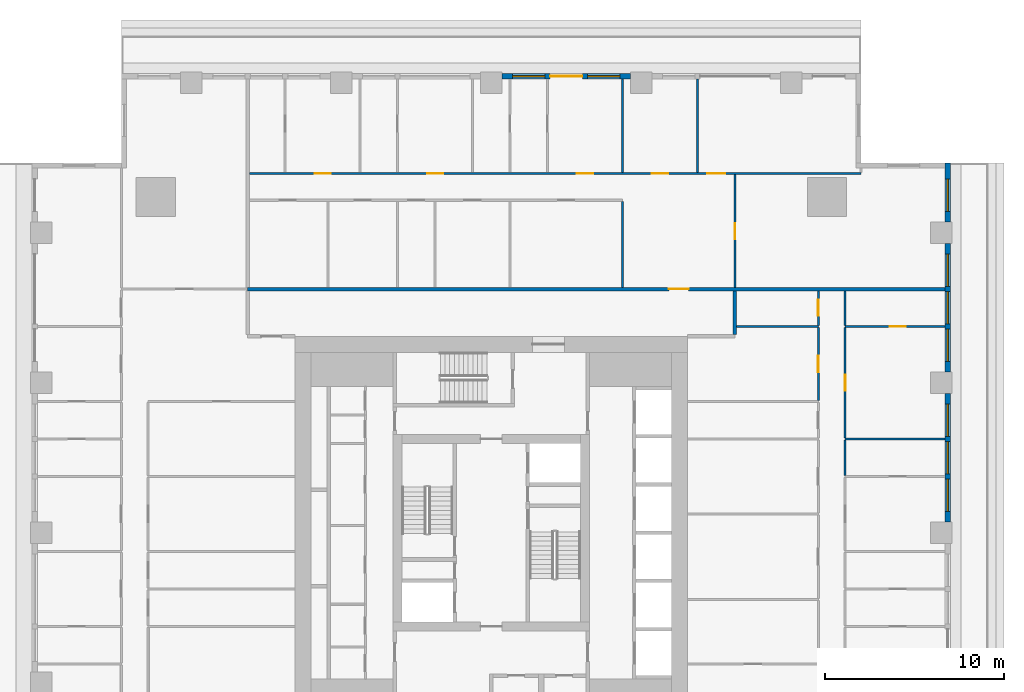
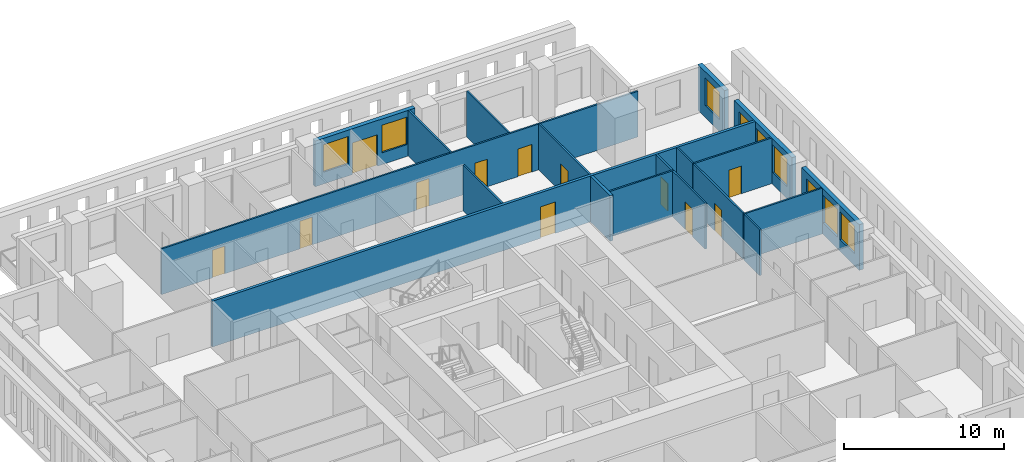
# One storey, part 8 of 14: 19 walls, 12 doors, 9 windows, 21 openings.
"""IFC4 building model written with IfcOpenShell, lengths in metres."""

from ifc_helpers import new_model, si_unit, direction, frame, frame_2d, origin, place, context, subcontext, project, spatial, rectangle, extrude, material, layer, layer_set, type_object, element, fill, save


model = new_model("IFC4")

# Units and contexts
model_context = context("Model", 3, precision=1e-05, world=origin(), true_north=direction((0.0, 1.0)))
body_context = subcontext(model_context, "Body", "Model", "MODEL_VIEW")
ifc_project = project(units=[si_unit("LENGTHUNIT", "METRE"), si_unit("AREAUNIT", "SQUARE_METRE"), si_unit("VOLUMEUNIT", "CUBIC_METRE"), si_unit("PLANEANGLEUNIT", "RADIAN"), si_unit("MASSUNIT", "GRAM", prefix="KILO")], contexts=[model_context])

# Site, building, storey
site_placement = place(None, origin())
site = spatial("IfcSite", under=ifc_project, at=site_placement, CompositionType="ELEMENT")
building_placement = place(site_placement, origin())
building = spatial("IfcBuilding", under=site, at=building_placement, Name="Khepri Terraces", CompositionType="ELEMENT")
storey_placement = place(building_placement, frame((0.0, 0.0, 275.699951171875)))
storey = spatial("IfcBuildingStorey", under=building, at=storey_placement, Name="L66", CompositionType="ELEMENT", Elevation=275.699951171875)

# Wall
ifc_material_1 = material(Name="Fire-rated gypsum plasterboard partition, mineral wool")
ifc_layer_1 = layer(ifc_material_1, 0.199951171875, Name="Fire-rated gypsum plasterboard partition, mineral wool")
ifc_layer_set_1 = layer_set([ifc_layer_1], Name="Fire-rated gypsum plasterboard partition, mineral wool")
wall_type_1 = type_object("IfcWallType", Name="WL-CORR-200", PredefinedType="PARTITIONING", material=ifc_layer_set_1)
wall_1_placement = place(storey_placement, frame((13.64990234375, 11.10009765625, 0.0), z_axis=(0.0, 0.0, 1.0), x_axis=(0.0, 1.0, 0.0)))
element("IfcWall", 1, at=wall_1_placement, inside=storey, type_object=wall_type_1, Name="Partition P-072 L66", PredefinedType="PARTITIONING", context=body_context, shape_type="SweptSolid", body=[
    extrude(rectangle(XDim=2.449951171875, YDim=0.199951171875, at=frame_2d((1.22509765625, 0.0))), origin(), (0.0, 0.0, 1.0), 3.47998046875),
])

# Wall, opening, door
wall_2_placement = place(storey_placement, frame((-13.64990234375, 13.64990234375, 0.0), z_axis=(0.0, 0.0, 1.0), x_axis=(1.0, 0.0, 0.0)))
wall_2 = element("IfcWall", 2, at=wall_2_placement, inside=storey, type_object=wall_type_1, Name="Partition P-080 L66", PredefinedType="PARTITIONING", context=body_context, shape_type="SweptSolid", body=[
    extrude(rectangle(XDim=39.06982421875, YDim=0.199951171875, at=frame_2d((19.534912109375, 0.0))), origin(), (0.0, 0.0, 1.0), 3.47998046875),
])
opening_1_placement = place(wall_2_placement, frame((23.60009765625, 0.0, 0.0)))
opening_1 = element("IfcOpeningElement", 3, at=opening_1_placement, cuts=wall_2, Name="Opening D1", PredefinedType="OPENING", context=body_context, shape_type="SweptSolid", body=[
    extrude(rectangle(XDim=1.10009765625, YDim=2.39990234375, at=frame_2d((0.550048828125, 1.199951171875))), frame((0.0, 0.10986328125, 0.0), z_axis=(0.0, -1.0, 0.0), x_axis=(1.0, 0.0, 0.0)), (0.0, 0.0, 1.0), 0.219970703125),
])
ifc_material_2 = material(Name="Solid-core timber door leaf, flat entrance door", Category="wood")
door_type_1 = type_object("IfcDoorType", Name="DR-ENT-1100", OperationType="NOTDEFINED", PredefinedType="DOOR", material=ifc_material_2)
door_1_placement = place(opening_1_placement, origin())
door_1 = element("IfcDoor", 4, at=door_1_placement, inside=storey, type_object=door_type_1, Name="Flat C1 entrance door", OperationType="SINGLE_SWING_RIGHT", OverallHeight=2.39990234375, OverallWidth=1.10009765625, PredefinedType="DOOR", context=body_context, shape_type="SweptSolid", body=[
    extrude(rectangle(XDim=1.10009765625, YDim=2.39990234375, at=frame_2d((0.550048828125, 1.199951171875))), frame((0.0, 0.02490234375, 0.0), z_axis=(0.0, -1.0, 0.0), x_axis=(1.0, 0.0, 0.0)), (0.0, 0.0, 1.0), 0.050048828125),
])
fill(opening_1, door_1)

# Wall, openings, windows
ifc_material_3 = material(Name="Precast concrete C50/60 warm stone", Category="masonry")
ifc_layer_2 = layer(ifc_material_3, 0.300048828125, Name="Precast concrete C50/60 warm stone", Category="masonry")
ifc_layer_set_2 = layer_set([ifc_layer_2], Name="Precast concrete C50/60 warm stone")
wall_type_2 = type_object("IfcWallType", Name="WL-EXT-PRECAST-300", PredefinedType="STANDARD", material=ifc_layer_set_2)
wall_3_placement = place(storey_placement, frame((25.570068359375, 0.60009765625, 0.0), z_axis=(0.0, 0.0, 1.0), x_axis=(0.0, 1.0, 0.0)))
wall_3 = element("IfcWall", 5, at=wall_3_placement, inside=storey, type_object=wall_type_2, Name="External wall L66 E", PredefinedType="STANDARD", context=body_context, shape_type="SweptSolid", body=[
    extrude(rectangle(XDim=7.199951171875, YDim=0.300048828125, at=frame_2d((3.60009765625, 0.0))), origin(), (0.0, 0.0, 1.0), 3.47998046875),
])
opening_2_placement = place(wall_3_placement, frame((0.60009765625, 0.0, 0.89990234375)))
opening_2 = element("IfcOpeningElement", 6, at=opening_2_placement, cuts=wall_3, Name="Opening W1", PredefinedType="OPENING", context=body_context, shape_type="SweptSolid", body=[
    extrude(rectangle(XDim=1.800048828125, YDim=2.10009765625, at=frame_2d((0.89990234375, 1.050048828125))), frame((0.0, 0.16015625, 0.0), z_axis=(0.0, -1.0, 0.0), x_axis=(1.0, 0.0, 0.0)), (0.0, 0.0, 1.0), 0.320068359375),
])
opening_3_placement = place(wall_3_placement, frame((2.699951171875, 0.0, 0.89990234375)))
opening_3 = element("IfcOpeningElement", 7, at=opening_3_placement, cuts=wall_3, Name="Opening W1", PredefinedType="OPENING", context=body_context, shape_type="SweptSolid", body=[
    extrude(rectangle(XDim=1.800048828125, YDim=2.10009765625, at=frame_2d((0.89990234375, 1.050048828125))), frame((0.0, 0.16015625, 0.0), z_axis=(0.0, -1.0, 0.0), x_axis=(1.0, 0.0, 0.0)), (0.0, 0.0, 1.0), 0.320068359375),
])
opening_4_placement = place(wall_3_placement, frame((4.800048828125, 0.0, 0.89990234375)))
opening_4 = element("IfcOpeningElement", 8, at=opening_4_placement, cuts=wall_3, Name="Opening W1", PredefinedType="OPENING", context=body_context, shape_type="SweptSolid", body=[
    extrude(rectangle(XDim=1.800048828125, YDim=2.10009765625, at=frame_2d((0.89990234375, 1.050048828125))), frame((0.0, 0.16015625, 0.0), z_axis=(0.0, -1.0, 0.0), x_axis=(1.0, 0.0, 0.0)), (0.0, 0.0, 1.0), 0.320068359375),
])
ifc_material_4 = material(Name="Clear glass", Category="glass")
window_type = type_object("IfcWindowType", Name="WIN-RES-1800x2100", PartitioningType="SINGLE_PANEL", PredefinedType="WINDOW", material=ifc_material_4)
window_1_placement = place(opening_2_placement, origin())
window_1 = element("IfcWindow", 9, at=window_1_placement, inside=storey, type_object=window_type, Name="Window L66 E", OverallHeight=2.10009765625, OverallWidth=1.800048828125, PartitioningType="SINGLE_PANEL", PredefinedType="WINDOW", context=body_context, shape_type="SweptSolid", body=[
    extrude(rectangle(XDim=1.800048828125, YDim=2.10009765625, at=frame_2d((0.89990234375, 1.050048828125))), frame((0.0, 0.030029296875, 0.0), z_axis=(0.0, -1.0, 0.0), x_axis=(1.0, 0.0, 0.0)), (0.0, 0.0, 1.0), 0.06005859375),
])
fill(opening_2, window_1)
window_2_placement = place(opening_3_placement, origin())
window_2 = element("IfcWindow", 10, at=window_2_placement, inside=storey, type_object=window_type, Name="Window L66 E", OverallHeight=2.10009765625, OverallWidth=1.800048828125, PartitioningType="SINGLE_PANEL", PredefinedType="WINDOW", context=body_context, shape_type="SweptSolid", body=[
    extrude(rectangle(XDim=1.800048828125, YDim=2.10009765625, at=frame_2d((0.89990234375, 1.050048828125))), frame((0.0, 0.030029296875, 0.0), z_axis=(0.0, -1.0, 0.0), x_axis=(1.0, 0.0, 0.0)), (0.0, 0.0, 1.0), 0.06005859375),
])
fill(opening_3, window_2)
window_3_placement = place(opening_4_placement, origin())
window_3 = element("IfcWindow", 11, at=window_3_placement, inside=storey, type_object=window_type, Name="Window L66 E", OverallHeight=2.10009765625, OverallWidth=1.800048828125, PartitioningType="SINGLE_PANEL", PredefinedType="WINDOW", context=body_context, shape_type="SweptSolid", body=[
    extrude(rectangle(XDim=1.800048828125, YDim=2.10009765625, at=frame_2d((0.89990234375, 1.050048828125))), frame((0.0, 0.030029296875, 0.0), z_axis=(0.0, -1.0, 0.0), x_axis=(1.0, 0.0, 0.0)), (0.0, 0.0, 1.0), 0.06005859375),
])
fill(opening_4, window_3)

wall_4_placement = place(storey_placement, frame((25.570068359375, 9.0, 0.0), z_axis=(0.0, 0.0, 1.0), x_axis=(0.0, 1.0, 0.0)))
wall_4 = element("IfcWall", 12, at=wall_4_placement, inside=storey, type_object=wall_type_2, Name="External wall L66 E", PredefinedType="STANDARD", context=body_context, shape_type="SweptSolid", body=[
    extrude(rectangle(XDim=7.199951171875, YDim=0.300048828125, at=frame_2d((3.60009765625, 0.0))), origin(), (0.0, 0.0, 1.0), 3.47998046875),
])
opening_5_placement = place(wall_4_placement, frame((0.60009765625, 0.0, 0.89990234375)))
opening_5 = element("IfcOpeningElement", 13, at=opening_5_placement, cuts=wall_4, Name="Opening W1", PredefinedType="OPENING", context=body_context, shape_type="SweptSolid", body=[
    extrude(rectangle(XDim=1.800048828125, YDim=2.10009765625, at=frame_2d((0.89990234375, 1.050048828125))), frame((0.0, 0.16015625, 0.0), z_axis=(0.0, -1.0, 0.0), x_axis=(1.0, 0.0, 0.0)), (0.0, 0.0, 1.0), 0.320068359375),
])
opening_6_placement = place(wall_4_placement, frame((2.699951171875, 0.0, 0.89990234375)))
opening_6 = element("IfcOpeningElement", 14, at=opening_6_placement, cuts=wall_4, Name="Opening W1", PredefinedType="OPENING", context=body_context, shape_type="SweptSolid", body=[
    extrude(rectangle(XDim=1.800048828125, YDim=2.10009765625, at=frame_2d((0.89990234375, 1.050048828125))), frame((0.0, 0.16015625, 0.0), z_axis=(0.0, -1.0, 0.0), x_axis=(1.0, 0.0, 0.0)), (0.0, 0.0, 1.0), 0.320068359375),
])
opening_7_placement = place(wall_4_placement, frame((4.800048828125, 0.0, 0.89990234375)))
opening_7 = element("IfcOpeningElement", 15, at=opening_7_placement, cuts=wall_4, Name="Opening W1", PredefinedType="OPENING", context=body_context, shape_type="SweptSolid", body=[
    extrude(rectangle(XDim=1.800048828125, YDim=2.10009765625, at=frame_2d((0.89990234375, 1.050048828125))), frame((0.0, 0.16015625, 0.0), z_axis=(0.0, -1.0, 0.0), x_axis=(1.0, 0.0, 0.0)), (0.0, 0.0, 1.0), 0.320068359375),
])
window_4_placement = place(opening_5_placement, origin())
window_4 = element("IfcWindow", 16, at=window_4_placement, inside=storey, type_object=window_type, Name="Window L66 E", OverallHeight=2.10009765625, OverallWidth=1.800048828125, PartitioningType="SINGLE_PANEL", PredefinedType="WINDOW", context=body_context, shape_type="SweptSolid", body=[
    extrude(rectangle(XDim=1.800048828125, YDim=2.10009765625, at=frame_2d((0.89990234375, 1.050048828125))), frame((0.0, 0.030029296875, 0.0), z_axis=(0.0, -1.0, 0.0), x_axis=(1.0, 0.0, 0.0)), (0.0, 0.0, 1.0), 0.06005859375),
])
fill(opening_5, window_4)
window_5_placement = place(opening_6_placement, origin())
window_5 = element("IfcWindow", 17, at=window_5_placement, inside=storey, type_object=window_type, Name="Window L66 E", OverallHeight=2.10009765625, OverallWidth=1.800048828125, PartitioningType="SINGLE_PANEL", PredefinedType="WINDOW", context=body_context, shape_type="SweptSolid", body=[
    extrude(rectangle(XDim=1.800048828125, YDim=2.10009765625, at=frame_2d((0.89990234375, 1.050048828125))), frame((0.0, 0.030029296875, 0.0), z_axis=(0.0, -1.0, 0.0), x_axis=(1.0, 0.0, 0.0)), (0.0, 0.0, 1.0), 0.06005859375),
])
fill(opening_6, window_5)
window_6_placement = place(opening_7_placement, origin())
window_6 = element("IfcWindow", 18, at=window_6_placement, inside=storey, type_object=window_type, Name="Window L66 E", OverallHeight=2.10009765625, OverallWidth=1.800048828125, PartitioningType="SINGLE_PANEL", PredefinedType="WINDOW", context=body_context, shape_type="SweptSolid", body=[
    extrude(rectangle(XDim=1.800048828125, YDim=2.10009765625, at=frame_2d((0.89990234375, 1.050048828125))), frame((0.0, 0.030029296875, 0.0), z_axis=(0.0, -1.0, 0.0), x_axis=(1.0, 0.0, 0.0)), (0.0, 0.0, 1.0), 0.06005859375),
])
fill(opening_7, window_6)

# Wall, opening, window
wall_5_placement = place(storey_placement, frame((25.570068359375, 17.39990234375, 0.0), z_axis=(0.0, 0.0, 1.0), x_axis=(0.0, 1.0, 0.0)))
wall_5 = element("IfcWall", 19, at=wall_5_placement, inside=storey, type_object=wall_type_2, Name="External wall L66 E", PredefinedType="STANDARD", context=body_context, shape_type="SweptSolid", body=[
    extrude(rectangle(XDim=3.320068359375, YDim=0.300048828125, at=frame_2d((1.66015625, 0.0))), origin(), (0.0, 0.0, 1.0), 3.47998046875),
])
opening_8_placement = place(wall_5_placement, frame((0.60009765625, 0.0, 0.89990234375)))
opening_8 = element("IfcOpeningElement", 20, at=opening_8_placement, cuts=wall_5, Name="Opening W1", PredefinedType="OPENING", context=body_context, shape_type="SweptSolid", body=[
    extrude(rectangle(XDim=1.800048828125, YDim=2.10009765625, at=frame_2d((0.89990234375, 1.050048828125))), frame((0.0, 0.16015625, 0.0), z_axis=(0.0, -1.0, 0.0), x_axis=(1.0, 0.0, 0.0)), (0.0, 0.0, 1.0), 0.320068359375),
])
window_7_placement = place(opening_8_placement, origin())
window_7 = element("IfcWindow", 21, at=window_7_placement, inside=storey, type_object=window_type, Name="Window L66 E", OverallHeight=2.10009765625, OverallWidth=1.800048828125, PartitioningType="SINGLE_PANEL", PredefinedType="WINDOW", context=body_context, shape_type="SweptSolid", body=[
    extrude(rectangle(XDim=1.800048828125, YDim=2.10009765625, at=frame_2d((0.89990234375, 1.050048828125))), frame((0.0, 0.030029296875, 0.0), z_axis=(0.0, -1.0, 0.0), x_axis=(1.0, 0.0, 0.0)), (0.0, 0.0, 1.0), 0.06005859375),
])
fill(opening_8, window_7)

# Wall, openings, door, windows
wall_6_placement = place(storey_placement, frame((7.800048828125, 25.570068359375, 0.0), z_axis=(0.0, 0.0, 1.0), x_axis=(-1.0, 0.0, 0.0)))
wall_6 = element("IfcWall", 22, at=wall_6_placement, inside=storey, type_object=wall_type_2, Name="External wall L66 N", PredefinedType="STANDARD", context=body_context, shape_type="SweptSolid", body=[
    extrude(rectangle(XDim=7.199951171875, YDim=0.300048828125, at=frame_2d((3.60009765625, 0.0))), origin(), (0.0, 0.0, 1.0), 3.47998046875),
])
opening_9_placement = place(wall_6_placement, frame((0.60009765625, 0.0, 0.89990234375)))
opening_9 = element("IfcOpeningElement", 23, at=opening_9_placement, cuts=wall_6, Name="Opening W1", PredefinedType="OPENING", context=body_context, shape_type="SweptSolid", body=[
    extrude(rectangle(XDim=1.800048828125, YDim=2.10009765625, at=frame_2d((0.89990234375, 1.050048828125))), frame((0.0, 0.16015625, 0.0), z_axis=(0.0, -1.0, 0.0), x_axis=(1.0, 0.0, 0.0)), (0.0, 0.0, 1.0), 0.320068359375),
])
opening_10_placement = place(wall_6_placement, frame((2.699951171875, 0.0, 0.0)))
opening_10 = element("IfcOpeningElement", 24, at=opening_10_placement, cuts=wall_6, Name="Opening ED-L66-07", PredefinedType="OPENING", context=body_context, shape_type="SweptSolid", body=[
    extrude(rectangle(XDim=1.800048828125, YDim=2.39990234375, at=frame_2d((0.89990234375, 1.199951171875))), frame((0.0, 0.16015625, 0.0), z_axis=(0.0, -1.0, 0.0), x_axis=(1.0, 0.0, 0.0)), (0.0, 0.0, 1.0), 0.320068359375),
])
opening_11_placement = place(wall_6_placement, frame((4.800048828125, 0.0, 0.89990234375)))
opening_11 = element("IfcOpeningElement", 25, at=opening_11_placement, cuts=wall_6, Name="Opening W1", PredefinedType="OPENING", context=body_context, shape_type="SweptSolid", body=[
    extrude(rectangle(XDim=1.800048828125, YDim=2.10009765625, at=frame_2d((0.89990234375, 1.050048828125))), frame((0.0, 0.16015625, 0.0), z_axis=(0.0, -1.0, 0.0), x_axis=(1.0, 0.0, 0.0)), (0.0, 0.0, 1.0), 0.320068359375),
])
ifc_material_5 = material(Name="Anodised aluminium bronze glazed door", Category="aluminium")
door_type_2 = type_object("IfcDoorType", Name="DR-BAL-SLIDE-1800x2400", OperationType="NOTDEFINED", PredefinedType="DOOR", material=ifc_material_5)
door_2_placement = place(opening_10_placement, origin())
door_2 = element("IfcDoor", 26, at=door_2_placement, inside=storey, type_object=door_type_2, Name="Balcony door L66 N", OperationType="SLIDING_TO_LEFT", OverallHeight=2.39990234375, OverallWidth=1.800048828125, PredefinedType="DOOR", context=body_context, shape_type="SweptSolid", body=[
    extrude(rectangle(XDim=1.800048828125, YDim=2.39990234375, at=frame_2d((0.89990234375, 1.199951171875))), frame((0.0, 0.02490234375, 0.0), z_axis=(0.0, -1.0, 0.0), x_axis=(1.0, 0.0, 0.0)), (0.0, 0.0, 1.0), 0.050048828125),
])
fill(opening_10, door_2)
window_8_placement = place(opening_9_placement, origin())
window_8 = element("IfcWindow", 27, at=window_8_placement, inside=storey, type_object=window_type, Name="Window L66 N", OverallHeight=2.10009765625, OverallWidth=1.800048828125, PartitioningType="SINGLE_PANEL", PredefinedType="WINDOW", context=body_context, shape_type="SweptSolid", body=[
    extrude(rectangle(XDim=1.800048828125, YDim=2.10009765625, at=frame_2d((0.89990234375, 1.050048828125))), frame((0.0, 0.030029296875, 0.0), z_axis=(0.0, -1.0, 0.0), x_axis=(1.0, 0.0, 0.0)), (0.0, 0.0, 1.0), 0.06005859375),
])
fill(opening_9, window_8)
window_9_placement = place(opening_11_placement, origin())
window_9 = element("IfcWindow", 28, at=window_9_placement, inside=storey, type_object=window_type, Name="Window L66 N", OverallHeight=2.10009765625, OverallWidth=1.800048828125, PartitioningType="SINGLE_PANEL", PredefinedType="WINDOW", context=body_context, shape_type="SweptSolid", body=[
    extrude(rectangle(XDim=1.800048828125, YDim=2.10009765625, at=frame_2d((0.89990234375, 1.050048828125))), frame((0.0, 0.030029296875, 0.0), z_axis=(0.0, -1.0, 0.0), x_axis=(1.0, 0.0, 0.0)), (0.0, 0.0, 1.0), 0.06005859375),
])
fill(opening_11, window_9)

# Walls
ifc_material_6 = material(Name="Gypsum plasterboard partition")
ifc_layer_3 = layer(ifc_material_6, 0.1201171875, Name="Gypsum plasterboard partition")
ifc_layer_set_3 = layer_set([ifc_layer_3], Name="Gypsum plasterboard partition")
wall_type_3 = type_object("IfcWallType", Name="WL-PART-120", PredefinedType="PARTITIONING", material=ifc_layer_set_3)
wall_7_placement = place(storey_placement, frame((19.820068359375, 3.2099609375, 0.0), z_axis=(0.0, 0.0, 1.0), x_axis=(0.0, 1.0, 0.0)))
element("IfcWall", 29, at=wall_7_placement, inside=storey, type_object=wall_type_3, Name="Partition P-057 L66", PredefinedType="PARTITIONING", context=body_context, shape_type="SweptSolid", body=[
    extrude(rectangle(XDim=1.97998046875, YDim=0.1201171875, at=frame_2d((0.989990234375, 0.0))), origin(), (0.0, 0.0, 1.0), 3.47998046875),
])
wall_8_placement = place(storey_placement, frame((19.820068359375, 5.25, 0.0), z_axis=(0.0, 0.0, 1.0), x_axis=(1.0, 0.0, 0.0)))
element("IfcWall", 30, at=wall_8_placement, inside=storey, type_object=wall_type_3, Name="Partition P-060 L66", PredefinedType="PARTITIONING", context=body_context, shape_type="SweptSolid", body=[
    extrude(rectangle(XDim=5.599853515625, YDim=0.1201171875, at=frame_2d((2.7998046875, 0.0))), origin(), (0.0, 0.0, 1.0), 3.47998046875),
])

# Wall, opening, door
wall_9_placement = place(storey_placement, frame((19.820068359375, 5.31005859375, 0.0), z_axis=(0.0, 0.0, 1.0), x_axis=(0.0, 1.0, 0.0)))
wall_9 = element("IfcWall", 31, at=wall_9_placement, inside=storey, type_object=wall_type_3, Name="Partition P-063 L66", PredefinedType="PARTITIONING", context=body_context, shape_type="SweptSolid", body=[
    extrude(rectangle(XDim=6.179931640625, YDim=0.1201171875, at=frame_2d((3.08984375, 0.0))), origin(), (0.0, 0.0, 1.0), 3.47998046875),
])
opening_12_placement = place(wall_9_placement, frame((2.639892578125, 0.0, 0.0)))
opening_12 = element("IfcOpeningElement", 32, at=opening_12_placement, cuts=wall_9, Name="Opening D3", PredefinedType="OPENING", context=body_context, shape_type="SweptSolid", body=[
    extrude(rectangle(XDim=0.89990234375, YDim=2.10009765625, at=frame_2d((0.449951171875, 1.050048828125))), frame((0.0, 0.070068359375, 0.0), z_axis=(0.0, -1.0, 0.0), x_axis=(1.0, 0.0, 0.0)), (0.0, 0.0, 1.0), 0.14013671875),
])
ifc_material_7 = material(Name="Timber door leaf", Category="wood")
door_type_3 = type_object("IfcDoorType", Name="DR-INT-900", OperationType="NOTDEFINED", PredefinedType="DOOR", material=ifc_material_7)
door_3_placement = place(opening_12_placement, frame((0.89990234375, 0.0, 0.0), z_axis=(0.0, 0.0, 1.0), x_axis=(-1.0, 0.0, 0.0)))
door_3 = element("IfcDoor", 33, at=door_3_placement, inside=storey, type_object=door_type_3, Name="Door Bedroom", OperationType="SINGLE_SWING_LEFT", OverallHeight=2.10009765625, OverallWidth=0.89990234375, PredefinedType="DOOR", context=body_context, shape_type="SweptSolid", body=[
    extrude(rectangle(XDim=0.89990234375, YDim=2.10009765625, at=frame_2d((0.449951171875, 1.050048828125))), frame((0.0, 0.02490234375, 0.0), z_axis=(0.0, -1.0, 0.0), x_axis=(1.0, 0.0, 0.0)), (0.0, 0.0, 1.0), 0.050048828125),
])
fill(opening_12, door_3)

wall_10_placement = place(storey_placement, frame((18.320068359375, 7.409912109375, 0.0), z_axis=(0.0, 0.0, 1.0), x_axis=(0.0, 1.0, 0.0)))
wall_10 = element("IfcWall", 34, at=wall_10_placement, inside=storey, type_object=wall_type_3, Name="Partition P-068 L66", PredefinedType="PARTITIONING", context=body_context, shape_type="SweptSolid", body=[
    extrude(rectangle(XDim=4.080078125, YDim=0.1201171875, at=frame_2d((2.0400390625, 0.0))), origin(), (0.0, 0.0, 1.0), 3.47998046875),
])
opening_13_placement = place(wall_10_placement, frame((1.590087890625, 0.0, 0.0)))
opening_13 = element("IfcOpeningElement", 35, at=opening_13_placement, cuts=wall_10, Name="Opening D3", PredefinedType="OPENING", context=body_context, shape_type="SweptSolid", body=[
    extrude(rectangle(XDim=0.89990234375, YDim=2.10009765625, at=frame_2d((0.449951171875, 1.050048828125))), frame((0.0, 0.070068359375, 0.0), z_axis=(0.0, -1.0, 0.0), x_axis=(1.0, 0.0, 0.0)), (0.0, 0.0, 1.0), 0.14013671875),
])
door_4_placement = place(opening_13_placement, origin())
door_4 = element("IfcDoor", 36, at=door_4_placement, inside=storey, type_object=door_type_3, Name="Door Utility Room", OperationType="SINGLE_SWING_LEFT", OverallHeight=2.10009765625, OverallWidth=0.89990234375, PredefinedType="DOOR", context=body_context, shape_type="SweptSolid", body=[
    extrude(rectangle(XDim=0.89990234375, YDim=2.10009765625, at=frame_2d((0.449951171875, 1.050048828125))), frame((0.0, 0.02490234375, 0.0), z_axis=(0.0, -1.0, 0.0), x_axis=(1.0, 0.0, 0.0)), (0.0, 0.0, 1.0), 0.050048828125),
])
fill(opening_13, door_4)

# Wall
wall_11_placement = place(storey_placement, frame((13.75, 11.550048828125, 0.0), z_axis=(0.0, 0.0, 1.0), x_axis=(1.0, 0.0, 0.0)))
element("IfcWall", 37, at=wall_11_placement, inside=storey, type_object=wall_type_3, Name="Partition P-074 L66", PredefinedType="PARTITIONING", context=body_context, shape_type="SweptSolid", body=[
    extrude(rectangle(XDim=4.570068359375, YDim=0.1201171875, at=frame_2d((2.28515625, 0.0))), origin(), (0.0, 0.0, 1.0), 3.47998046875),
])

# Wall, opening, door
wall_12_placement = place(storey_placement, frame((19.820068359375, 11.550048828125, 0.0), z_axis=(0.0, 0.0, 1.0), x_axis=(1.0, 0.0, 0.0)))
wall_12 = element("IfcWall", 38, at=wall_12_placement, inside=storey, type_object=wall_type_3, Name="Partition P-075 L66", PredefinedType="PARTITIONING", context=body_context, shape_type="SweptSolid", body=[
    extrude(rectangle(XDim=5.599853515625, YDim=0.1201171875, at=frame_2d((2.7998046875, 0.0))), origin(), (0.0, 0.0, 1.0), 3.47998046875),
])
opening_14_placement = place(wall_12_placement, frame((2.5, 0.0, 0.0)))
opening_14 = element("IfcOpeningElement", 39, at=opening_14_placement, cuts=wall_12, Name="Opening D4", PredefinedType="OPENING", context=body_context, shape_type="SweptSolid", body=[
    extrude(rectangle(XDim=0.89990234375, YDim=2.10009765625, at=frame_2d((0.449951171875, 1.050048828125))), frame((0.0, 0.070068359375, 0.0), z_axis=(0.0, -1.0, 0.0), x_axis=(1.0, 0.0, 0.0)), (0.0, 0.0, 1.0), 0.14013671875),
])
ifc_material_8 = material(Name="Timber door leaf, moisture resistant", Category="wood")
door_type_4 = type_object("IfcDoorType", Name="DR-WET-900", OperationType="NOTDEFINED", PredefinedType="DOOR", material=ifc_material_8)
door_5_placement = place(opening_14_placement, origin())
door_5 = element("IfcDoor", 40, at=door_5_placement, inside=storey, type_object=door_type_4, Name="Door Bathroom", OperationType="SINGLE_SWING_RIGHT", OverallHeight=2.10009765625, OverallWidth=0.89990234375, PredefinedType="DOOR", context=body_context, shape_type="SweptSolid", body=[
    extrude(rectangle(XDim=0.89990234375, YDim=2.10009765625, at=frame_2d((0.449951171875, 1.050048828125))), frame((0.0, 0.02490234375, 0.0), z_axis=(0.0, -1.0, 0.0), x_axis=(1.0, 0.0, 0.0)), (0.0, 0.0, 1.0), 0.050048828125),
])
fill(opening_14, door_5)

wall_13_placement = place(storey_placement, frame((18.320068359375, 11.610107421875, 0.0), z_axis=(0.0, 0.0, 1.0), x_axis=(0.0, 1.0, 0.0)))
wall_13 = element("IfcWall", 41, at=wall_13_placement, inside=storey, type_object=wall_type_3, Name="Partition P-077 L66", PredefinedType="PARTITIONING", context=body_context, shape_type="SweptSolid", body=[
    extrude(rectangle(XDim=1.93994140625, YDim=0.1201171875, at=frame_2d((0.969970703125, 0.0))), origin(), (0.0, 0.0, 1.0), 3.47998046875),
])
opening_15_placement = place(wall_13_placement, frame((0.5400390625, 0.0, 0.0)))
opening_15 = element("IfcOpeningElement", 42, at=opening_15_placement, cuts=wall_13, Name="Opening D3", PredefinedType="OPENING", context=body_context, shape_type="SweptSolid", body=[
    extrude(rectangle(XDim=0.89990234375, YDim=2.10009765625, at=frame_2d((0.449951171875, 1.050048828125))), frame((0.0, 0.070068359375, 0.0), z_axis=(0.0, -1.0, 0.0), x_axis=(1.0, 0.0, 0.0)), (0.0, 0.0, 1.0), 0.14013671875),
])
door_6_placement = place(opening_15_placement, origin())
door_6 = element("IfcDoor", 43, at=door_6_placement, inside=storey, type_object=door_type_3, Name="Door Utility Room", OperationType="SINGLE_SWING_RIGHT", OverallHeight=2.10009765625, OverallWidth=0.89990234375, PredefinedType="DOOR", context=body_context, shape_type="SweptSolid", body=[
    extrude(rectangle(XDim=0.89990234375, YDim=2.10009765625, at=frame_2d((0.449951171875, 1.050048828125))), frame((0.0, 0.02490234375, 0.0), z_axis=(0.0, -1.0, 0.0), x_axis=(1.0, 0.0, 0.0)), (0.0, 0.0, 1.0), 0.050048828125),
])
fill(opening_15, door_6)

# Walls
wall_14_placement = place(storey_placement, frame((19.820068359375, 11.610107421875, 0.0), z_axis=(0.0, 0.0, 1.0), x_axis=(0.0, 1.0, 0.0)))
element("IfcWall", 44, at=wall_14_placement, inside=storey, type_object=wall_type_3, Name="Partition P-078 L66", PredefinedType="PARTITIONING", context=body_context, shape_type="SweptSolid", body=[
    extrude(rectangle(XDim=1.93994140625, YDim=0.1201171875, at=frame_2d((0.969970703125, 0.0))), origin(), (0.0, 0.0, 1.0), 3.47998046875),
])
wall_15_placement = place(storey_placement, frame((7.35009765625, 13.75, 0.0), z_axis=(0.0, 0.0, 1.0), x_axis=(0.0, 1.0, 0.0)))
element("IfcWall", 45, at=wall_15_placement, inside=storey, type_object=wall_type_3, Name="Partition P-087 L66", PredefinedType="PARTITIONING", context=body_context, shape_type="SweptSolid", body=[
    extrude(rectangle(XDim=4.81005859375, YDim=0.1201171875, at=frame_2d((2.405029296875, 0.0))), origin(), (0.0, 0.0, 1.0), 3.47998046875),
])

# Wall, opening, door
wall_16_placement = place(storey_placement, frame((13.64990234375, 13.75, 0.0), z_axis=(0.0, 0.0, 1.0), x_axis=(0.0, 1.0, 0.0)))
wall_16 = element("IfcWall", 46, at=wall_16_placement, inside=storey, type_object=wall_type_3, Name="Partition P-088 L66", PredefinedType="PARTITIONING", context=body_context, shape_type="SweptSolid", body=[
    extrude(rectangle(XDim=6.31005859375, YDim=0.1201171875, at=frame_2d((3.155029296875, 0.0))), origin(), (0.0, 0.0, 1.0), 3.47998046875),
])
opening_16_placement = place(wall_16_placement, frame((2.68505859375, 0.0, 0.0)))
opening_16 = element("IfcOpeningElement", 47, at=opening_16_placement, cuts=wall_16, Name="Opening D3", PredefinedType="OPENING", context=body_context, shape_type="SweptSolid", body=[
    extrude(rectangle(XDim=0.89990234375, YDim=2.10009765625, at=frame_2d((0.449951171875, 1.050048828125))), frame((0.0, 0.070068359375, 0.0), z_axis=(0.0, -1.0, 0.0), x_axis=(1.0, 0.0, 0.0)), (0.0, 0.0, 1.0), 0.14013671875),
])
door_7_placement = place(opening_16_placement, frame((0.89990234375, 0.0, 0.0), z_axis=(0.0, 0.0, 1.0), x_axis=(-1.0, 0.0, 0.0)))
door_7 = element("IfcDoor", 48, at=door_7_placement, inside=storey, type_object=door_type_3, Name="Door Library", OperationType="SINGLE_SWING_RIGHT", OverallHeight=2.10009765625, OverallWidth=0.89990234375, PredefinedType="DOOR", context=body_context, shape_type="SweptSolid", body=[
    extrude(rectangle(XDim=0.89990234375, YDim=2.10009765625, at=frame_2d((0.449951171875, 1.050048828125))), frame((0.0, 0.02490234375, 0.0), z_axis=(0.0, -1.0, 0.0), x_axis=(1.0, 0.0, 0.0)), (0.0, 0.0, 1.0), 0.050048828125),
])
fill(opening_16, door_7)

# Wall, openings, doors
wall_17_placement = place(storey_placement, frame((-13.550048828125, 20.1201171875, 0.0), z_axis=(0.0, 0.0, 1.0), x_axis=(1.0, 0.0, 0.0)))
wall_17 = element("IfcWall", 49, at=wall_17_placement, inside=storey, type_object=wall_type_3, Name="Partition P-090 L66", PredefinedType="PARTITIONING", context=body_context, shape_type="SweptSolid", body=[
    extrude(rectangle(XDim=34.26904296875, YDim=0.1201171875, at=frame_2d((17.134521484375, 0.0))), origin(), (0.0, 0.0, 1.0), 3.47998046875),
])
opening_17_placement = place(wall_17_placement, frame((25.64990234375, 0.0, 0.0)))
opening_17 = element("IfcOpeningElement", 50, at=opening_17_placement, cuts=wall_17, Name="Opening D2", PredefinedType="OPENING", context=body_context, shape_type="SweptSolid", body=[
    extrude(rectangle(XDim=1.0, YDim=2.10009765625, at=frame_2d((0.5, 1.050048828125))), frame((0.0, 0.070068359375, 0.0), z_axis=(0.0, -1.0, 0.0), x_axis=(1.0, 0.0, 0.0)), (0.0, 0.0, 1.0), 0.14013671875),
])
opening_18_placement = place(wall_17_placement, frame((22.550048828125, 0.0, 0.0)))
opening_18 = element("IfcOpeningElement", 51, at=opening_18_placement, cuts=wall_17, Name="Opening D3", PredefinedType="OPENING", context=body_context, shape_type="SweptSolid", body=[
    extrude(rectangle(XDim=0.89990234375, YDim=2.10009765625, at=frame_2d((0.449951171875, 1.050048828125))), frame((0.0, 0.070068359375, 0.0), z_axis=(0.0, -1.0, 0.0), x_axis=(1.0, 0.0, 0.0)), (0.0, 0.0, 1.0), 0.14013671875),
])
opening_19_placement = place(wall_17_placement, frame((18.35009765625, 0.0, 0.0)))
opening_19 = element("IfcOpeningElement", 52, at=opening_19_placement, cuts=wall_17, Name="Opening D3", PredefinedType="OPENING", context=body_context, shape_type="SweptSolid", body=[
    extrude(rectangle(XDim=0.89990234375, YDim=2.10009765625, at=frame_2d((0.449951171875, 1.050048828125))), frame((0.0, 0.070068359375, 0.0), z_axis=(0.0, -1.0, 0.0), x_axis=(1.0, 0.0, 0.0)), (0.0, 0.0, 1.0), 0.14013671875),
])
opening_20_placement = place(wall_17_placement, frame((9.949951171875, 0.0, 0.0)))
opening_20 = element("IfcOpeningElement", 53, at=opening_20_placement, cuts=wall_17, Name="Opening D3", PredefinedType="OPENING", context=body_context, shape_type="SweptSolid", body=[
    extrude(rectangle(XDim=0.89990234375, YDim=2.10009765625, at=frame_2d((0.449951171875, 1.050048828125))), frame((0.0, 0.070068359375, 0.0), z_axis=(0.0, -1.0, 0.0), x_axis=(1.0, 0.0, 0.0)), (0.0, 0.0, 1.0), 0.14013671875),
])
opening_21_placement = place(wall_17_placement, frame((3.64990234375, 0.0, 0.0)))
opening_21 = element("IfcOpeningElement", 54, at=opening_21_placement, cuts=wall_17, Name="Opening D3", PredefinedType="OPENING", context=body_context, shape_type="SweptSolid", body=[
    extrude(rectangle(XDim=0.89990234375, YDim=2.10009765625, at=frame_2d((0.449951171875, 1.050048828125))), frame((0.0, 0.070068359375, 0.0), z_axis=(0.0, -1.0, 0.0), x_axis=(1.0, 0.0, 0.0)), (0.0, 0.0, 1.0), 0.14013671875),
])
ifc_material_9 = material(Name="Timber door leaf, living room door", Category="wood")
door_type_5 = type_object("IfcDoorType", Name="DR-INT-1000", OperationType="NOTDEFINED", PredefinedType="DOOR", material=ifc_material_9)
door_8_placement = place(opening_17_placement, origin())
door_8 = element("IfcDoor", 55, at=door_8_placement, inside=storey, type_object=door_type_5, Name="Door Living Room", OperationType="SINGLE_SWING_RIGHT", OverallHeight=2.10009765625, OverallWidth=1.0, PredefinedType="DOOR", context=body_context, shape_type="SweptSolid", body=[
    extrude(rectangle(XDim=1.0, YDim=2.10009765625, at=frame_2d((0.5, 1.050048828125))), frame((0.0, 0.02490234375, 0.0), z_axis=(0.0, -1.0, 0.0), x_axis=(1.0, 0.0, 0.0)), (0.0, 0.0, 1.0), 0.050048828125),
])
fill(opening_17, door_8)
door_9_placement = place(opening_18_placement, origin())
door_9 = element("IfcDoor", 56, at=door_9_placement, inside=storey, type_object=door_type_3, Name="Door Study", OperationType="SINGLE_SWING_RIGHT", OverallHeight=2.10009765625, OverallWidth=0.89990234375, PredefinedType="DOOR", context=body_context, shape_type="SweptSolid", body=[
    extrude(rectangle(XDim=0.89990234375, YDim=2.10009765625, at=frame_2d((0.449951171875, 1.050048828125))), frame((0.0, 0.02490234375, 0.0), z_axis=(0.0, -1.0, 0.0), x_axis=(1.0, 0.0, 0.0)), (0.0, 0.0, 1.0), 0.050048828125),
])
fill(opening_18, door_9)
door_10_placement = place(opening_19_placement, origin())
door_10 = element("IfcDoor", 57, at=door_10_placement, inside=storey, type_object=door_type_3, Name="Door Master Bedroom", OperationType="SINGLE_SWING_RIGHT", OverallHeight=2.10009765625, OverallWidth=0.89990234375, PredefinedType="DOOR", context=body_context, shape_type="SweptSolid", body=[
    extrude(rectangle(XDim=0.89990234375, YDim=2.10009765625, at=frame_2d((0.449951171875, 1.050048828125))), frame((0.0, 0.02490234375, 0.0), z_axis=(0.0, -1.0, 0.0), x_axis=(1.0, 0.0, 0.0)), (0.0, 0.0, 1.0), 0.050048828125),
])
fill(opening_19, door_10)
door_11_placement = place(opening_20_placement, origin())
door_11 = element("IfcDoor", 58, at=door_11_placement, inside=storey, type_object=door_type_3, Name="Door Bedroom", OperationType="SINGLE_SWING_LEFT", OverallHeight=2.10009765625, OverallWidth=0.89990234375, PredefinedType="DOOR", context=body_context, shape_type="SweptSolid", body=[
    extrude(rectangle(XDim=0.89990234375, YDim=2.10009765625, at=frame_2d((0.449951171875, 1.050048828125))), frame((0.0, 0.02490234375, 0.0), z_axis=(0.0, -1.0, 0.0), x_axis=(1.0, 0.0, 0.0)), (0.0, 0.0, 1.0), 0.050048828125),
])
fill(opening_20, door_11)
door_12_placement = place(opening_21_placement, origin())
door_12 = element("IfcDoor", 59, at=door_12_placement, inside=storey, type_object=door_type_3, Name="Door Bedroom", OperationType="SINGLE_SWING_LEFT", OverallHeight=2.10009765625, OverallWidth=0.89990234375, PredefinedType="DOOR", context=body_context, shape_type="SweptSolid", body=[
    extrude(rectangle(XDim=0.89990234375, YDim=2.10009765625, at=frame_2d((0.449951171875, 1.050048828125))), frame((0.0, 0.02490234375, 0.0), z_axis=(0.0, -1.0, 0.0), x_axis=(1.0, 0.0, 0.0)), (0.0, 0.0, 1.0), 0.050048828125),
])
fill(opening_21, door_12)

# Walls
for number, where, z_axis, x_axis, name in (
    (60, (7.35009765625, 20.179931640625, 0.0), (0.0, 0.0, 1.0), (0.0, 1.0, 0.0), "Partition P-097 L66"),
    (61, (11.550048828125, 20.179931640625, 0.0), (0.0, 0.0, 1.0), (0.0, 1.0, 0.0), "Partition P-098 L66"),
):
    element("IfcWall", number, at=place(storey_placement, frame(where, z_axis=z_axis, x_axis=x_axis)), inside=storey, type_object=wall_type_3, Name=name, PredefinedType="PARTITIONING", context=body_context, shape_type="SweptSolid", body=[
        extrude(rectangle(XDim=5.239990234375, YDim=0.1201171875, at=frame_2d((2.6201171875, 0.0))), origin(), (0.0, 0.0, 1.0), 3.47998046875),
    ])

save(model, "model.ifc")
